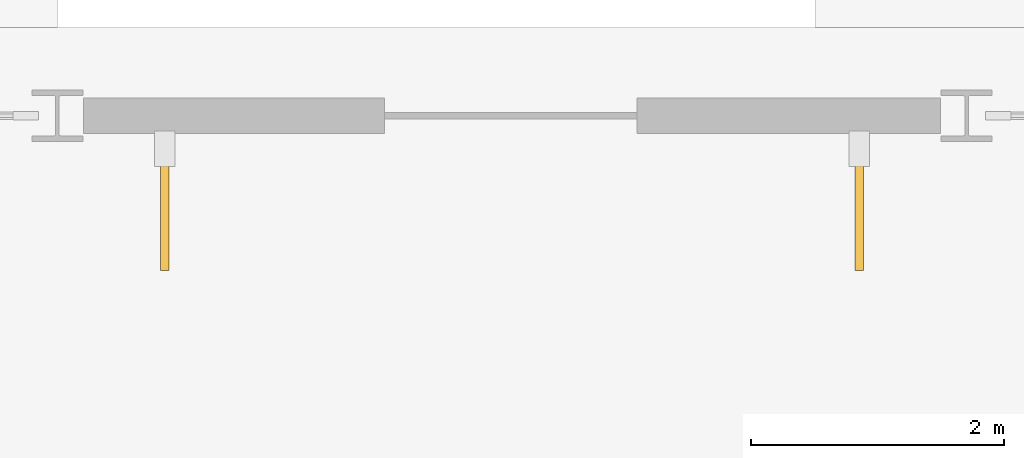
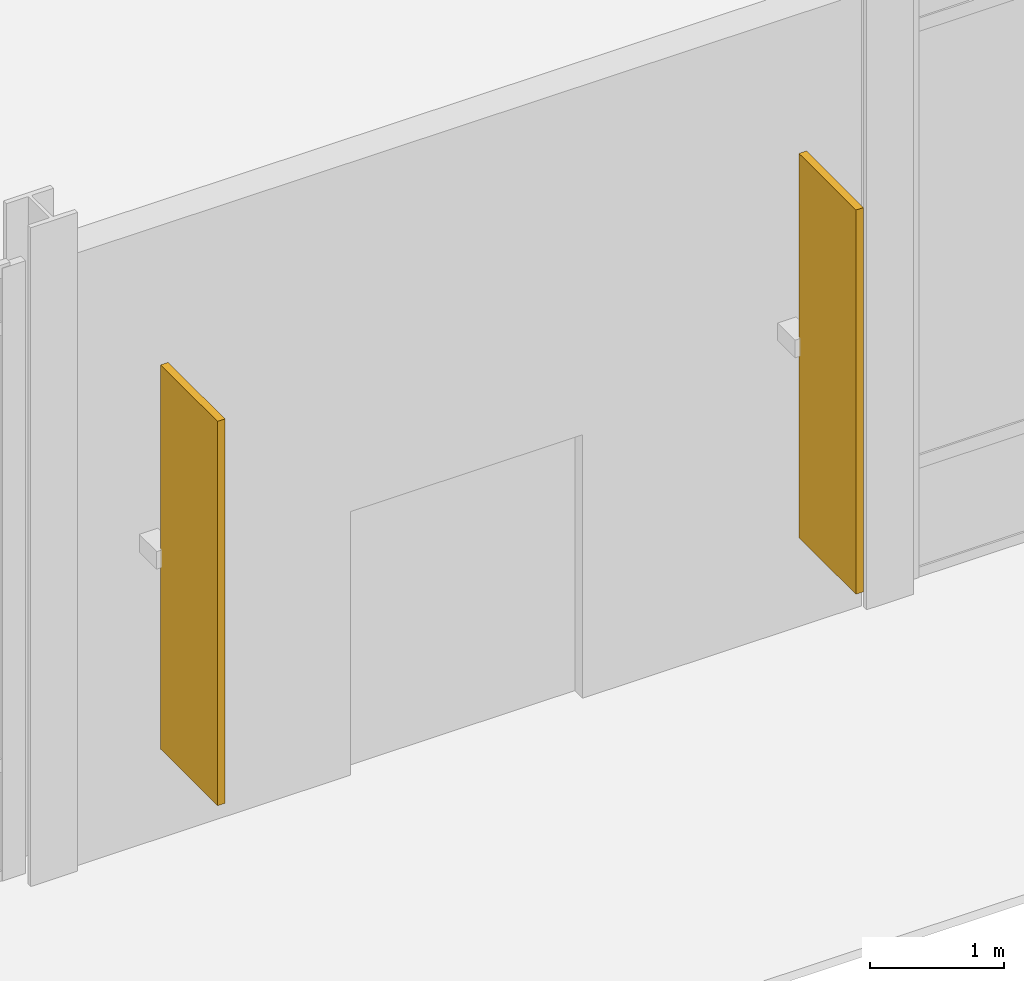
# One storey, part 86 of 104: 2 shading devices.
"""IFC4 building model written with IfcOpenShell, lengths in metres."""

from ifc_helpers import new_model, si_unit, direction, frame, origin, origin_2d, place, context, subcontext, project, spatial, rectangle, extrude, material, type_object, element, save


model = new_model("IFC4")

# Units and contexts
model_context = context("Model", 3, precision=1e-05, world=origin(), true_north=direction((0.0, 1.0)))
body_context = subcontext(model_context, "Body", "Model", "MODEL_VIEW")
ifc_project = project(units=[si_unit("LENGTHUNIT", "METRE"), si_unit("AREAUNIT", "SQUARE_METRE"), si_unit("VOLUMEUNIT", "CUBIC_METRE"), si_unit("PLANEANGLEUNIT", "RADIAN"), si_unit("MASSUNIT", "GRAM", prefix="KILO")], contexts=[model_context])

# Site, building, storey
site_placement = place(None, origin())
site = spatial("IfcSite", under=ifc_project, at=site_placement, CompositionType="ELEMENT")
building_placement = place(site_placement, origin())
building = spatial("IfcBuilding", under=site, at=building_placement, Name="Vaelcorin Mobility Hub", CompositionType="ELEMENT")
storey_placement = place(building_placement, origin())
storey = spatial("IfcBuildingStorey", under=building, at=storey_placement, Name="L00", CompositionType="ELEMENT", Elevation=0.0)

# Shading devices
ifc_material = material(Name="Perforated terracotta-bronze aluminium aerofoil", Category="masonry")
shading_device_type = type_object("IfcShadingDeviceType", Name="SHD-FIN-1", PredefinedType="USERDEFINED", material=ifc_material)
for number, where, z_axis, x_axis, name in (
    (1, (87.25, 5.199951171875, 1.0), (0.0, 0.0, 1.0), (1.0, 0.0, 0.0), "Concourse Portal Shading Fin 03"),
    (2, (92.75, 5.199951171875, 1.0), (0.0, 0.0, 1.0), (1.0, 0.0, 0.0), "Concourse Portal Shading Fin 04"),
):
    element("IfcShadingDevice", number, at=place(storey_placement, frame(where, z_axis=z_axis, x_axis=x_axis)), inside=storey, type_object=shading_device_type, Name=name, ObjectType="FIN", PredefinedType="USERDEFINED", context=body_context, shape_type="SweptSolid", body=[
        extrude(rectangle(XDim=0.06494140625, YDim=0.85009765625, at=origin_2d()), origin(), (0.0, 0.0, 1.0), 3.5),
    ])

save(model, "model.ifc")
